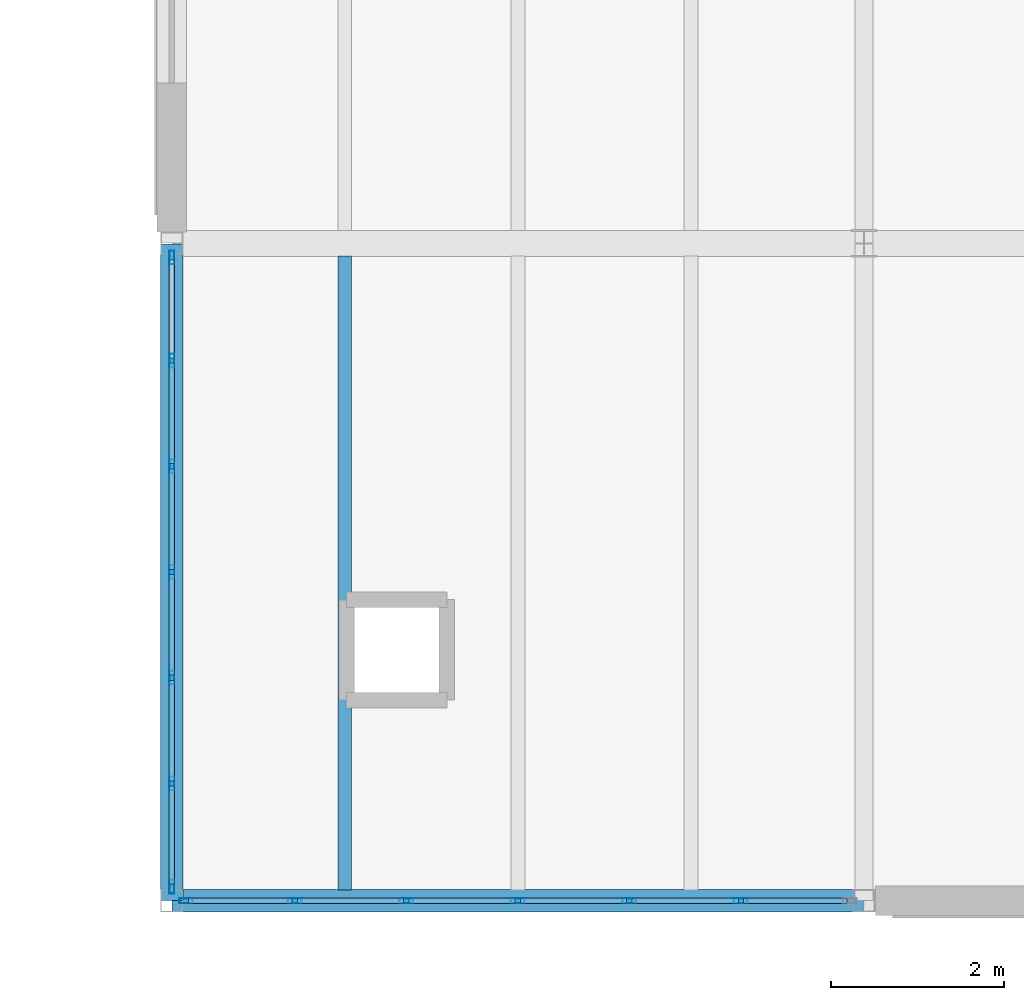
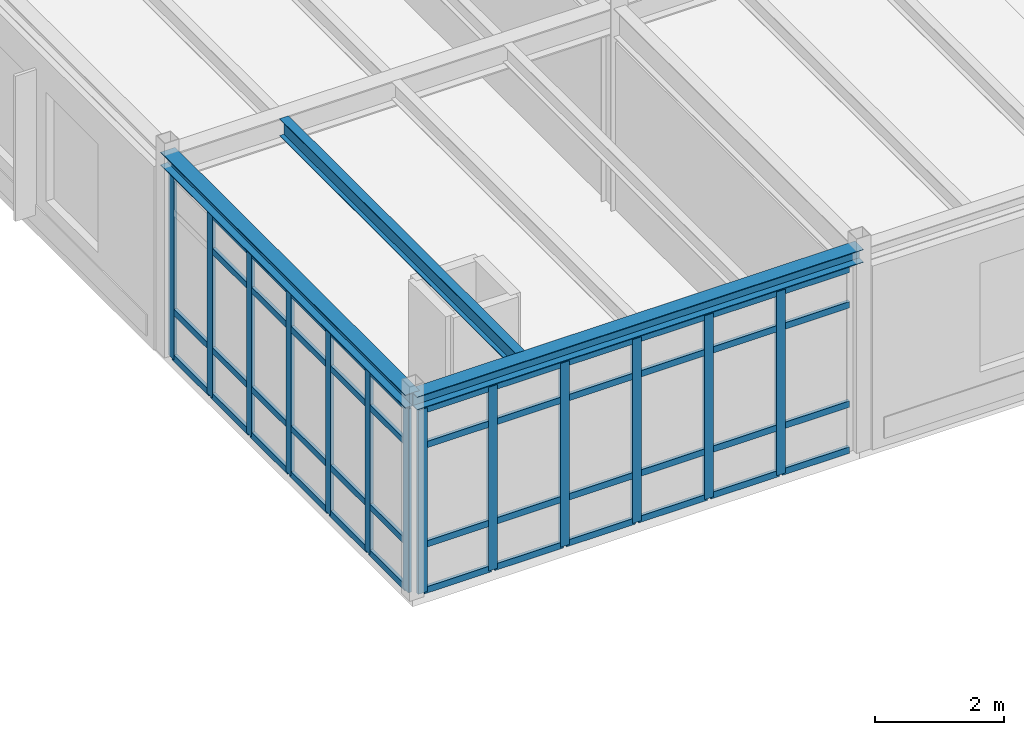
# One storey, part 109 of 189: 59 members, 3 beams, 2 elements without a shape of their own.
"""IFC4 building model written with IfcOpenShell, lengths in metres."""

from ifc_helpers import new_model, si_unit, direction, frame, origin, origin_2d, place, context, subcontext, project, spatial, hollow_rectangle, i_section, extrude, material, layer, layer_set, material_profile, profile_set, type_object, element, aggregate, save


model = new_model("IFC4")

# Units and contexts
model_context = context("Model", 3, precision=1e-05, world=origin(), true_north=direction((0.0, 1.0)))
body_context = subcontext(model_context, "Body", "Model", "MODEL_VIEW")
ifc_project = project(units=[si_unit("LENGTHUNIT", "METRE"), si_unit("AREAUNIT", "SQUARE_METRE"), si_unit("VOLUMEUNIT", "CUBIC_METRE"), si_unit("PLANEANGLEUNIT", "RADIAN"), si_unit("MASSUNIT", "GRAM", prefix="KILO")], contexts=[model_context])

# Site, building, storey
site_placement = place(None, origin())
site = spatial("IfcSite", under=ifc_project, at=site_placement, CompositionType="ELEMENT")
building_placement = place(site_placement, origin())
building = spatial("IfcBuilding", under=site, at=building_placement, Name="Montecoro Central Library", CompositionType="ELEMENT")
storey_placement = place(building_placement, frame((0.0, 0.0, 9.179931640625)))
storey = spatial("IfcBuildingStorey", under=building, at=storey_placement, Name="L02", CompositionType="ELEMENT", Elevation=9.179931640625)

# Beams
ifc_material_1 = material(Name="Steel S355", Category="steel")
ifc_material_profile_1 = material_profile(ifc_material_1, i_section(OverallWidth=0.159912109375, OverallDepth=0.330078125, WebThickness=0.007568359375, FlangeThickness=0.011474609375, at=origin_2d()), Name="IPE 330")
ifc_profile_set_1 = profile_set([ifc_material_profile_1], Name="Steel S355")
beam_type_1 = type_object("IfcBeamType", Name="BM-J-IPE330", PredefinedType="JOIST", material=ifc_profile_set_1)
beam_1_placement = place(storey_placement, frame((143.0, 5.126953125, 3.66015625), z_axis=(0.0, 1.0, 0.0), x_axis=(-1.0, 0.0, 0.0)))
element("IfcBeam", 1, at=beam_1_placement, inside=storey, type_object=beam_type_1, Name="V6-L02-JS-1819-AB-1", PredefinedType="JOIST", context=body_context, shape_type="SweptSolid", body=[
    extrude(i_section(OverallWidth=0.159912109375, OverallDepth=0.330078125, WebThickness=0.007568359375, FlangeThickness=0.011474609375, at=origin_2d()), origin(), (0.0, 0.0, 1.0), 7.325927734375),
])
ifc_material_profile_2 = material_profile(ifc_material_1, i_section(OverallWidth=0.260009765625, OverallDepth=0.25, WebThickness=0.007568359375, FlangeThickness=0.012451171875, at=origin_2d()), Name="HEA 260")
ifc_profile_set_2 = profile_set([ifc_material_profile_2], Name="Steel S355")
beam_type_2 = type_object("IfcBeamType", Name="BM-SP-HEA260", PredefinedType="SPANDREL", material=ifc_profile_set_2)
beam_2_placement = place(storey_placement, frame((141.0048828125, 5.0, 3.699951171875), z_axis=(1.0, 0.0, 0.0), x_axis=(0.0, 1.0, 0.0)))
element("IfcBeam", 2, at=beam_2_placement, inside=storey, type_object=beam_type_2, Name="V6-L02-BX-1819-A", PredefinedType="SPANDREL", context=body_context, shape_type="SweptSolid", body=[
    extrude(i_section(OverallWidth=0.260009765625, OverallDepth=0.25, WebThickness=0.007568359375, FlangeThickness=0.012451171875, at=origin_2d()), origin(), (0.0, 0.0, 1.0), 7.990234375),
])
beam_3_placement = place(storey_placement, frame((141.0, 5.0048828125, 3.699951171875), z_axis=(0.0, 1.0, 0.0), x_axis=(-1.0, 0.0, 0.0)))
element("IfcBeam", 3, at=beam_3_placement, inside=storey, type_object=beam_type_2, Name="V6-L02-BY-18-AB", PredefinedType="SPANDREL", context=body_context, shape_type="SweptSolid", body=[
    extrude(i_section(OverallWidth=0.260009765625, OverallDepth=0.25, WebThickness=0.007568359375, FlangeThickness=0.012451171875, at=origin_2d()), origin(), (0.0, 0.0, 1.0), 7.590087890625),
])

# Curtain wall, members
ifc_material_2 = material(Name="Bronze-anodised aluminium and low-E glazing", Category="aluminium")
ifc_layer_1 = layer(ifc_material_2, 0.159912109375)
ifc_layer_set_1 = layer_set([ifc_layer_1], Name="Bronze-anodised aluminium and low-E glazing")
curtain_wall_type_1 = type_object("IfcCurtainWallType", Name="CWT-064", PredefinedType="NOTDEFINED", material=ifc_layer_set_1)
curtain_wall_1_placement = place(storey_placement, origin())
curtain_wall_1 = element("IfcCurtainWall", 4, at=curtain_wall_1_placement, inside=storey, type_object=curtain_wall_type_1, Name="V6-L02-CW-S0", PredefinedType="NOTDEFINED")
ifc_material_3 = material(Name="Bronze-anodised aluminium", Category="aluminium")
ifc_material_profile_3 = material_profile(ifc_material_3, hollow_rectangle(XDim=0.06005859375, YDim=0.159912109375, WallThickness=0.00390625, at=origin_2d()), Name="CWM 160x60x4.0")
ifc_profile_set_3 = profile_set([ifc_material_profile_3], Name="Bronze-anodised aluminium")
member_type_1 = type_object("IfcMemberType", Name="CWM-BRZ-60", PredefinedType="MULLION", material=ifc_profile_set_3)
member_1_placement = place(storey_placement, frame((141.1630859375, 5.0, 0.0), z_axis=(0.0, 0.0, 1.0), x_axis=(0.0, 1.0, 0.0)))
member_1 = element("IfcMember", 5, at=member_1_placement, type_object=member_type_1, Name="CW-064 mullion 1", PredefinedType="MULLION", context=body_context, shape_type="SweptSolid", body=[
    extrude(hollow_rectangle(XDim=0.06005859375, YDim=0.159912109375, WallThickness=0.00390625, at=origin_2d()), origin(), (0.0, 0.0, 1.0), 3.47998046875),
])
member_2_placement = place(storey_placement, frame((142.422119140625, 5.0, 0.0), z_axis=(0.0, 0.0, 1.0), x_axis=(0.0, 1.0, 0.0)))
member_2 = element("IfcMember", 6, at=member_2_placement, type_object=member_type_1, Name="CW-064 mullion 2", PredefinedType="MULLION", context=body_context, shape_type="SweptSolid", body=[
    extrude(hollow_rectangle(XDim=0.06005859375, YDim=0.159912109375, WallThickness=0.00390625, at=origin_2d()), origin(), (0.0, 0.0, 1.0), 3.47998046875),
])
member_3_placement = place(storey_placement, frame((143.7109375, 5.0, 0.0), z_axis=(0.0, 0.0, 1.0), x_axis=(0.0, 1.0, 0.0)))
member_3 = element("IfcMember", 7, at=member_3_placement, type_object=member_type_1, Name="CW-064 mullion 3", PredefinedType="MULLION", context=body_context, shape_type="SweptSolid", body=[
    extrude(hollow_rectangle(XDim=0.06005859375, YDim=0.159912109375, WallThickness=0.00390625, at=origin_2d()), origin(), (0.0, 0.0, 1.0), 3.47998046875),
])
member_4_placement = place(storey_placement, frame((145.0, 5.0, 0.0), z_axis=(0.0, 0.0, 1.0), x_axis=(0.0, 1.0, 0.0)))
member_4 = element("IfcMember", 8, at=member_4_placement, type_object=member_type_1, Name="CW-064 mullion 4", PredefinedType="MULLION", context=body_context, shape_type="SweptSolid", body=[
    extrude(hollow_rectangle(XDim=0.06005859375, YDim=0.159912109375, WallThickness=0.00390625, at=origin_2d()), origin(), (0.0, 0.0, 1.0), 3.47998046875),
])
member_5_placement = place(storey_placement, frame((146.2890625, 5.0, 0.0), z_axis=(0.0, 0.0, 1.0), x_axis=(0.0, 1.0, 0.0)))
member_5 = element("IfcMember", 9, at=member_5_placement, type_object=member_type_1, Name="CW-064 mullion 5", PredefinedType="MULLION", context=body_context, shape_type="SweptSolid", body=[
    extrude(hollow_rectangle(XDim=0.06005859375, YDim=0.159912109375, WallThickness=0.00390625, at=origin_2d()), origin(), (0.0, 0.0, 1.0), 3.47998046875),
])
member_6_placement = place(storey_placement, frame((147.577880859375, 5.0, 0.0), z_axis=(0.0, 0.0, 1.0), x_axis=(0.0, 1.0, 0.0)))
member_6 = element("IfcMember", 10, at=member_6_placement, type_object=member_type_1, Name="CW-064 mullion 6", PredefinedType="MULLION", context=body_context, shape_type="SweptSolid", body=[
    extrude(hollow_rectangle(XDim=0.06005859375, YDim=0.159912109375, WallThickness=0.00390625, at=origin_2d()), origin(), (0.0, 0.0, 1.0), 3.47998046875),
])

ifc_layer_2 = layer(ifc_material_2, 0.159912109375)
ifc_layer_set_2 = layer_set([ifc_layer_2], Name="Bronze-anodised aluminium and low-E glazing")
curtain_wall_type_2 = type_object("IfcCurtainWallType", Name="CWT-067", PredefinedType="NOTDEFINED", material=ifc_layer_set_2)
curtain_wall_2_placement = place(storey_placement, origin())
curtain_wall_2 = element("IfcCurtainWall", 11, at=curtain_wall_2_placement, inside=storey, type_object=curtain_wall_type_2, Name="V6-L02-CW-W0", PredefinedType="NOTDEFINED")
member_7_placement = place(storey_placement, frame((141.0, 12.43701171875, 0.0), z_axis=(0.0, 0.0, 1.0), x_axis=(1.0, 0.0, 0.0)))
member_7 = element("IfcMember", 12, at=member_7_placement, type_object=member_type_1, Name="CW-067 mullion 1", PredefinedType="MULLION", context=body_context, shape_type="SweptSolid", body=[
    extrude(hollow_rectangle(XDim=0.06005859375, YDim=0.159912109375, WallThickness=0.00390625, at=origin_2d()), origin(), (0.0, 0.0, 1.0), 3.47998046875),
])
member_8_placement = place(storey_placement, frame((141.0, 11.24462890625, 0.0), z_axis=(0.0, 0.0, 1.0), x_axis=(1.0, 0.0, 0.0)))
member_8 = element("IfcMember", 13, at=member_8_placement, type_object=member_type_1, Name="CW-067 mullion 2", PredefinedType="MULLION", context=body_context, shape_type="SweptSolid", body=[
    extrude(hollow_rectangle(XDim=0.06005859375, YDim=0.159912109375, WallThickness=0.00390625, at=origin_2d()), origin(), (0.0, 0.0, 1.0), 3.47998046875),
])
member_9_placement = place(storey_placement, frame((141.0, 10.022216796875, 0.0), z_axis=(0.0, 0.0, 1.0), x_axis=(1.0, 0.0, 0.0)))
member_9 = element("IfcMember", 14, at=member_9_placement, type_object=member_type_1, Name="CW-067 mullion 3", PredefinedType="MULLION", context=body_context, shape_type="SweptSolid", body=[
    extrude(hollow_rectangle(XDim=0.06005859375, YDim=0.159912109375, WallThickness=0.00390625, at=origin_2d()), origin(), (0.0, 0.0, 1.0), 3.47998046875),
])
member_10_placement = place(storey_placement, frame((141.0, 8.800048828125, 0.0), z_axis=(0.0, 0.0, 1.0), x_axis=(1.0, 0.0, 0.0)))
member_10 = element("IfcMember", 15, at=member_10_placement, type_object=member_type_1, Name="CW-067 mullion 4", PredefinedType="MULLION", context=body_context, shape_type="SweptSolid", body=[
    extrude(hollow_rectangle(XDim=0.06005859375, YDim=0.159912109375, WallThickness=0.00390625, at=origin_2d()), origin(), (0.0, 0.0, 1.0), 3.47998046875),
])
member_11_placement = place(storey_placement, frame((141.0, 7.57763671875, 0.0), z_axis=(0.0, 0.0, 1.0), x_axis=(1.0, 0.0, 0.0)))
member_11 = element("IfcMember", 16, at=member_11_placement, type_object=member_type_1, Name="CW-067 mullion 5", PredefinedType="MULLION", context=body_context, shape_type="SweptSolid", body=[
    extrude(hollow_rectangle(XDim=0.06005859375, YDim=0.159912109375, WallThickness=0.00390625, at=origin_2d()), origin(), (0.0, 0.0, 1.0), 3.47998046875),
])
member_12_placement = place(storey_placement, frame((141.0, 6.355224609375, 0.0), z_axis=(0.0, 0.0, 1.0), x_axis=(1.0, 0.0, 0.0)))
member_12 = element("IfcMember", 17, at=member_12_placement, type_object=member_type_1, Name="CW-067 mullion 6", PredefinedType="MULLION", context=body_context, shape_type="SweptSolid", body=[
    extrude(hollow_rectangle(XDim=0.06005859375, YDim=0.159912109375, WallThickness=0.00390625, at=origin_2d()), origin(), (0.0, 0.0, 1.0), 3.47998046875),
])
member_13_placement = place(storey_placement, frame((141.0, 5.1630859375, 0.0), z_axis=(0.0, 0.0, 1.0), x_axis=(1.0, 0.0, 0.0)))
member_13 = element("IfcMember", 18, at=member_13_placement, type_object=member_type_1, Name="CW-067 mullion 7", PredefinedType="MULLION", context=body_context, shape_type="SweptSolid", body=[
    extrude(hollow_rectangle(XDim=0.06005859375, YDim=0.159912109375, WallThickness=0.00390625, at=origin_2d()), origin(), (0.0, 0.0, 1.0), 3.47998046875),
])

# Member
ifc_material_profile_4 = material_profile(ifc_material_3, hollow_rectangle(XDim=0.06005859375, YDim=0.1201171875, WallThickness=0.00390625, at=origin_2d()), Name="CWT 120x60x4.0")
ifc_profile_set_4 = profile_set([ifc_material_profile_4], Name="Bronze-anodised aluminium")
member_type_2 = type_object("IfcMemberType", Name="CWT-BRZ-60", PredefinedType="USERDEFINED", material=ifc_profile_set_4)
member_14_placement = place(storey_placement, frame((141.193115234375, 5.0, 0.030029296875), z_axis=(1.0, 0.0, 0.0), x_axis=(0.0, 1.0, 0.0)))
member_14 = element("IfcMember", 19, at=member_14_placement, type_object=member_type_2, Name="CW-064 transom 1.1", ObjectType="TRANSOM", PredefinedType="USERDEFINED", context=body_context, shape_type="SweptSolid", body=[
    extrude(hollow_rectangle(XDim=0.06005859375, YDim=0.1201171875, WallThickness=0.00390625, at=origin_2d()), origin(), (0.0, 0.0, 1.0), 1.198974609375),
])

member_15_placement = place(storey_placement, frame((141.193115234375, 5.0, 0.900146484375), z_axis=(1.0, 0.0, 0.0), x_axis=(0.0, 1.0, 0.0)))
member_15 = element("IfcMember", 20, at=member_15_placement, type_object=member_type_2, Name="CW-064 transom 1.2", ObjectType="TRANSOM", PredefinedType="USERDEFINED", context=body_context, shape_type="SweptSolid", body=[
    extrude(hollow_rectangle(XDim=0.06005859375, YDim=0.1201171875, WallThickness=0.00390625, at=origin_2d()), origin(), (0.0, 0.0, 1.0), 1.198974609375),
])

member_16_placement = place(storey_placement, frame((141.193115234375, 5.0, 2.780029296875), z_axis=(1.0, 0.0, 0.0), x_axis=(0.0, 1.0, 0.0)))
member_16 = element("IfcMember", 21, at=member_16_placement, type_object=member_type_2, Name="CW-064 transom 1.3", ObjectType="TRANSOM", PredefinedType="USERDEFINED", context=body_context, shape_type="SweptSolid", body=[
    extrude(hollow_rectangle(XDim=0.06005859375, YDim=0.1201171875, WallThickness=0.00390625, at=origin_2d()), origin(), (0.0, 0.0, 1.0), 1.198974609375),
])

member_17_placement = place(storey_placement, frame((141.193115234375, 5.0, 3.449951171875), z_axis=(1.0, 0.0, 0.0), x_axis=(0.0, 1.0, 0.0)))
member_17 = element("IfcMember", 22, at=member_17_placement, type_object=member_type_2, Name="CW-064 transom 1.4", ObjectType="TRANSOM", PredefinedType="USERDEFINED", context=body_context, shape_type="SweptSolid", body=[
    extrude(hollow_rectangle(XDim=0.06005859375, YDim=0.1201171875, WallThickness=0.00390625, at=origin_2d()), origin(), (0.0, 0.0, 1.0), 1.198974609375),
])

member_18_placement = place(storey_placement, frame((142.451904296875, 5.0, 0.030029296875), z_axis=(1.0, 0.0, 0.0), x_axis=(0.0, 1.0, 0.0)))
member_18 = element("IfcMember", 23, at=member_18_placement, type_object=member_type_2, Name="CW-064 transom 2.1", ObjectType="TRANSOM", PredefinedType="USERDEFINED", context=body_context, shape_type="SweptSolid", body=[
    extrude(hollow_rectangle(XDim=0.06005859375, YDim=0.1201171875, WallThickness=0.00390625, at=origin_2d()), origin(), (0.0, 0.0, 1.0), 1.22900390625),
])

member_19_placement = place(storey_placement, frame((142.451904296875, 5.0, 0.900146484375), z_axis=(1.0, 0.0, 0.0), x_axis=(0.0, 1.0, 0.0)))
member_19 = element("IfcMember", 24, at=member_19_placement, type_object=member_type_2, Name="CW-064 transom 2.2", ObjectType="TRANSOM", PredefinedType="USERDEFINED", context=body_context, shape_type="SweptSolid", body=[
    extrude(hollow_rectangle(XDim=0.06005859375, YDim=0.1201171875, WallThickness=0.00390625, at=origin_2d()), origin(), (0.0, 0.0, 1.0), 1.22900390625),
])

member_20_placement = place(storey_placement, frame((142.451904296875, 5.0, 2.780029296875), z_axis=(1.0, 0.0, 0.0), x_axis=(0.0, 1.0, 0.0)))
member_20 = element("IfcMember", 25, at=member_20_placement, type_object=member_type_2, Name="CW-064 transom 2.3", ObjectType="TRANSOM", PredefinedType="USERDEFINED", context=body_context, shape_type="SweptSolid", body=[
    extrude(hollow_rectangle(XDim=0.06005859375, YDim=0.1201171875, WallThickness=0.00390625, at=origin_2d()), origin(), (0.0, 0.0, 1.0), 1.22900390625),
])

member_21_placement = place(storey_placement, frame((142.451904296875, 5.0, 3.449951171875), z_axis=(1.0, 0.0, 0.0), x_axis=(0.0, 1.0, 0.0)))
member_21 = element("IfcMember", 26, at=member_21_placement, type_object=member_type_2, Name="CW-064 transom 2.4", ObjectType="TRANSOM", PredefinedType="USERDEFINED", context=body_context, shape_type="SweptSolid", body=[
    extrude(hollow_rectangle(XDim=0.06005859375, YDim=0.1201171875, WallThickness=0.00390625, at=origin_2d()), origin(), (0.0, 0.0, 1.0), 1.22900390625),
])

member_22_placement = place(storey_placement, frame((143.740966796875, 5.0, 0.030029296875), z_axis=(1.0, 0.0, 0.0), x_axis=(0.0, 1.0, 0.0)))
member_22 = element("IfcMember", 27, at=member_22_placement, type_object=member_type_2, Name="CW-064 transom 3.1", ObjectType="TRANSOM", PredefinedType="USERDEFINED", context=body_context, shape_type="SweptSolid", body=[
    extrude(hollow_rectangle(XDim=0.06005859375, YDim=0.1201171875, WallThickness=0.00390625, at=origin_2d()), origin(), (0.0, 0.0, 1.0), 1.22900390625),
])

member_23_placement = place(storey_placement, frame((143.740966796875, 5.0, 0.900146484375), z_axis=(1.0, 0.0, 0.0), x_axis=(0.0, 1.0, 0.0)))
member_23 = element("IfcMember", 28, at=member_23_placement, type_object=member_type_2, Name="CW-064 transom 3.2", ObjectType="TRANSOM", PredefinedType="USERDEFINED", context=body_context, shape_type="SweptSolid", body=[
    extrude(hollow_rectangle(XDim=0.06005859375, YDim=0.1201171875, WallThickness=0.00390625, at=origin_2d()), origin(), (0.0, 0.0, 1.0), 1.22900390625),
])

member_24_placement = place(storey_placement, frame((143.740966796875, 5.0, 2.780029296875), z_axis=(1.0, 0.0, 0.0), x_axis=(0.0, 1.0, 0.0)))
member_24 = element("IfcMember", 29, at=member_24_placement, type_object=member_type_2, Name="CW-064 transom 3.3", ObjectType="TRANSOM", PredefinedType="USERDEFINED", context=body_context, shape_type="SweptSolid", body=[
    extrude(hollow_rectangle(XDim=0.06005859375, YDim=0.1201171875, WallThickness=0.00390625, at=origin_2d()), origin(), (0.0, 0.0, 1.0), 1.22900390625),
])

member_25_placement = place(storey_placement, frame((143.740966796875, 5.0, 3.449951171875), z_axis=(1.0, 0.0, 0.0), x_axis=(0.0, 1.0, 0.0)))
member_25 = element("IfcMember", 30, at=member_25_placement, type_object=member_type_2, Name="CW-064 transom 3.4", ObjectType="TRANSOM", PredefinedType="USERDEFINED", context=body_context, shape_type="SweptSolid", body=[
    extrude(hollow_rectangle(XDim=0.06005859375, YDim=0.1201171875, WallThickness=0.00390625, at=origin_2d()), origin(), (0.0, 0.0, 1.0), 1.22900390625),
])

member_26_placement = place(storey_placement, frame((145.030029296875, 5.0, 0.030029296875), z_axis=(1.0, 0.0, 0.0), x_axis=(0.0, 1.0, 0.0)))
member_26 = element("IfcMember", 31, at=member_26_placement, type_object=member_type_2, Name="CW-064 transom 4.1", ObjectType="TRANSOM", PredefinedType="USERDEFINED", context=body_context, shape_type="SweptSolid", body=[
    extrude(hollow_rectangle(XDim=0.06005859375, YDim=0.1201171875, WallThickness=0.00390625, at=origin_2d()), origin(), (0.0, 0.0, 1.0), 1.22900390625),
])

member_27_placement = place(storey_placement, frame((145.030029296875, 5.0, 0.900146484375), z_axis=(1.0, 0.0, 0.0), x_axis=(0.0, 1.0, 0.0)))
member_27 = element("IfcMember", 32, at=member_27_placement, type_object=member_type_2, Name="CW-064 transom 4.2", ObjectType="TRANSOM", PredefinedType="USERDEFINED", context=body_context, shape_type="SweptSolid", body=[
    extrude(hollow_rectangle(XDim=0.06005859375, YDim=0.1201171875, WallThickness=0.00390625, at=origin_2d()), origin(), (0.0, 0.0, 1.0), 1.22900390625),
])

member_28_placement = place(storey_placement, frame((145.030029296875, 5.0, 2.780029296875), z_axis=(1.0, 0.0, 0.0), x_axis=(0.0, 1.0, 0.0)))
member_28 = element("IfcMember", 33, at=member_28_placement, type_object=member_type_2, Name="CW-064 transom 4.3", ObjectType="TRANSOM", PredefinedType="USERDEFINED", context=body_context, shape_type="SweptSolid", body=[
    extrude(hollow_rectangle(XDim=0.06005859375, YDim=0.1201171875, WallThickness=0.00390625, at=origin_2d()), origin(), (0.0, 0.0, 1.0), 1.22900390625),
])

member_29_placement = place(storey_placement, frame((145.030029296875, 5.0, 3.449951171875), z_axis=(1.0, 0.0, 0.0), x_axis=(0.0, 1.0, 0.0)))
member_29 = element("IfcMember", 34, at=member_29_placement, type_object=member_type_2, Name="CW-064 transom 4.4", ObjectType="TRANSOM", PredefinedType="USERDEFINED", context=body_context, shape_type="SweptSolid", body=[
    extrude(hollow_rectangle(XDim=0.06005859375, YDim=0.1201171875, WallThickness=0.00390625, at=origin_2d()), origin(), (0.0, 0.0, 1.0), 1.22900390625),
])

member_30_placement = place(storey_placement, frame((146.319091796875, 5.0, 0.030029296875), z_axis=(1.0, 0.0, 0.0), x_axis=(0.0, 1.0, 0.0)))
member_30 = element("IfcMember", 35, at=member_30_placement, type_object=member_type_2, Name="CW-064 transom 5.1", ObjectType="TRANSOM", PredefinedType="USERDEFINED", context=body_context, shape_type="SweptSolid", body=[
    extrude(hollow_rectangle(XDim=0.06005859375, YDim=0.1201171875, WallThickness=0.00390625, at=origin_2d()), origin(), (0.0, 0.0, 1.0), 1.22900390625),
])

member_31_placement = place(storey_placement, frame((146.319091796875, 5.0, 0.900146484375), z_axis=(1.0, 0.0, 0.0), x_axis=(0.0, 1.0, 0.0)))
member_31 = element("IfcMember", 36, at=member_31_placement, type_object=member_type_2, Name="CW-064 transom 5.2", ObjectType="TRANSOM", PredefinedType="USERDEFINED", context=body_context, shape_type="SweptSolid", body=[
    extrude(hollow_rectangle(XDim=0.06005859375, YDim=0.1201171875, WallThickness=0.00390625, at=origin_2d()), origin(), (0.0, 0.0, 1.0), 1.22900390625),
])

member_32_placement = place(storey_placement, frame((146.319091796875, 5.0, 2.780029296875), z_axis=(1.0, 0.0, 0.0), x_axis=(0.0, 1.0, 0.0)))
member_32 = element("IfcMember", 37, at=member_32_placement, type_object=member_type_2, Name="CW-064 transom 5.3", ObjectType="TRANSOM", PredefinedType="USERDEFINED", context=body_context, shape_type="SweptSolid", body=[
    extrude(hollow_rectangle(XDim=0.06005859375, YDim=0.1201171875, WallThickness=0.00390625, at=origin_2d()), origin(), (0.0, 0.0, 1.0), 1.22900390625),
])

member_33_placement = place(storey_placement, frame((146.319091796875, 5.0, 3.449951171875), z_axis=(1.0, 0.0, 0.0), x_axis=(0.0, 1.0, 0.0)))
member_33 = element("IfcMember", 38, at=member_33_placement, type_object=member_type_2, Name="CW-064 transom 5.4", ObjectType="TRANSOM", PredefinedType="USERDEFINED", context=body_context, shape_type="SweptSolid", body=[
    extrude(hollow_rectangle(XDim=0.06005859375, YDim=0.1201171875, WallThickness=0.00390625, at=origin_2d()), origin(), (0.0, 0.0, 1.0), 1.22900390625),
])

member_34_placement = place(storey_placement, frame((147.60791015625, 5.0, 0.030029296875), z_axis=(1.0, 0.0, 0.0), x_axis=(0.0, 1.0, 0.0)))
member_34 = element("IfcMember", 39, at=member_34_placement, type_object=member_type_2, Name="CW-064 transom 6.1", ObjectType="TRANSOM", PredefinedType="USERDEFINED", context=body_context, shape_type="SweptSolid", body=[
    extrude(hollow_rectangle(XDim=0.06005859375, YDim=0.1201171875, WallThickness=0.00390625, at=origin_2d()), origin(), (0.0, 0.0, 1.0), 1.198974609375),
])

member_35_placement = place(storey_placement, frame((147.60791015625, 5.0, 0.900146484375), z_axis=(1.0, 0.0, 0.0), x_axis=(0.0, 1.0, 0.0)))
member_35 = element("IfcMember", 40, at=member_35_placement, type_object=member_type_2, Name="CW-064 transom 6.2", ObjectType="TRANSOM", PredefinedType="USERDEFINED", context=body_context, shape_type="SweptSolid", body=[
    extrude(hollow_rectangle(XDim=0.06005859375, YDim=0.1201171875, WallThickness=0.00390625, at=origin_2d()), origin(), (0.0, 0.0, 1.0), 1.198974609375),
])

member_36_placement = place(storey_placement, frame((147.60791015625, 5.0, 2.780029296875), z_axis=(1.0, 0.0, 0.0), x_axis=(0.0, 1.0, 0.0)))
member_36 = element("IfcMember", 41, at=member_36_placement, type_object=member_type_2, Name="CW-064 transom 6.3", ObjectType="TRANSOM", PredefinedType="USERDEFINED", context=body_context, shape_type="SweptSolid", body=[
    extrude(hollow_rectangle(XDim=0.06005859375, YDim=0.1201171875, WallThickness=0.00390625, at=origin_2d()), origin(), (0.0, 0.0, 1.0), 1.198974609375),
])

member_37_placement = place(storey_placement, frame((147.60791015625, 5.0, 3.449951171875), z_axis=(1.0, 0.0, 0.0), x_axis=(0.0, 1.0, 0.0)))
member_37 = element("IfcMember", 42, at=member_37_placement, type_object=member_type_2, Name="CW-064 transom 6.4", ObjectType="TRANSOM", PredefinedType="USERDEFINED", context=body_context, shape_type="SweptSolid", body=[
    extrude(hollow_rectangle(XDim=0.06005859375, YDim=0.1201171875, WallThickness=0.00390625, at=origin_2d()), origin(), (0.0, 0.0, 1.0), 1.198974609375),
])

aggregate(curtain_wall_1, [member_1, member_2, member_3, member_4, member_5, member_6, member_14, member_15, member_16, member_17, member_18, member_19, member_20, member_21, member_22, member_23, member_24, member_25, member_26, member_27, member_28, member_29, member_30, member_31, member_32, member_33, member_34, member_35, member_36, member_37])

member_38_placement = place(storey_placement, frame((141.0, 12.406982421875, 0.030029296875), z_axis=(0.0, -1.0, 0.0), x_axis=(1.0, 0.0, 0.0)))
member_38 = element("IfcMember", 43, at=member_38_placement, type_object=member_type_2, Name="CW-067 transom 1.1", ObjectType="TRANSOM", PredefinedType="USERDEFINED", context=body_context, shape_type="SweptSolid", body=[
    extrude(hollow_rectangle(XDim=0.06005859375, YDim=0.1201171875, WallThickness=0.00390625, at=origin_2d()), origin(), (0.0, 0.0, 1.0), 1.13232421875),
])

member_39_placement = place(storey_placement, frame((141.0, 12.406982421875, 0.900146484375), z_axis=(0.0, -1.0, 0.0), x_axis=(1.0, 0.0, 0.0)))
member_39 = element("IfcMember", 44, at=member_39_placement, type_object=member_type_2, Name="CW-067 transom 1.2", ObjectType="TRANSOM", PredefinedType="USERDEFINED", context=body_context, shape_type="SweptSolid", body=[
    extrude(hollow_rectangle(XDim=0.06005859375, YDim=0.1201171875, WallThickness=0.00390625, at=origin_2d()), origin(), (0.0, 0.0, 1.0), 1.13232421875),
])

member_40_placement = place(storey_placement, frame((141.0, 11.214599609375, 0.030029296875), z_axis=(0.0, -1.0, 0.0), x_axis=(1.0, 0.0, 0.0)))
member_40 = element("IfcMember", 45, at=member_40_placement, type_object=member_type_2, Name="CW-067 transom 2.1", ObjectType="TRANSOM", PredefinedType="USERDEFINED", context=body_context, shape_type="SweptSolid", body=[
    extrude(hollow_rectangle(XDim=0.06005859375, YDim=0.1201171875, WallThickness=0.00390625, at=origin_2d()), origin(), (0.0, 0.0, 1.0), 1.162353515625),
])

member_41_placement = place(storey_placement, frame((141.0, 11.214599609375, 0.900146484375), z_axis=(0.0, -1.0, 0.0), x_axis=(1.0, 0.0, 0.0)))
member_41 = element("IfcMember", 46, at=member_41_placement, type_object=member_type_2, Name="CW-067 transom 2.2", ObjectType="TRANSOM", PredefinedType="USERDEFINED", context=body_context, shape_type="SweptSolid", body=[
    extrude(hollow_rectangle(XDim=0.06005859375, YDim=0.1201171875, WallThickness=0.00390625, at=origin_2d()), origin(), (0.0, 0.0, 1.0), 1.162353515625),
])

member_42_placement = place(storey_placement, frame((141.0, 11.214599609375, 2.780029296875), z_axis=(0.0, -1.0, 0.0), x_axis=(1.0, 0.0, 0.0)))
member_42 = element("IfcMember", 47, at=member_42_placement, type_object=member_type_2, Name="CW-067 transom 2.3", ObjectType="TRANSOM", PredefinedType="USERDEFINED", context=body_context, shape_type="SweptSolid", body=[
    extrude(hollow_rectangle(XDim=0.06005859375, YDim=0.1201171875, WallThickness=0.00390625, at=origin_2d()), origin(), (0.0, 0.0, 1.0), 1.162353515625),
])

member_43_placement = place(storey_placement, frame((141.0, 11.214599609375, 3.449951171875), z_axis=(0.0, -1.0, 0.0), x_axis=(1.0, 0.0, 0.0)))
member_43 = element("IfcMember", 48, at=member_43_placement, type_object=member_type_2, Name="CW-067 transom 2.4", ObjectType="TRANSOM", PredefinedType="USERDEFINED", context=body_context, shape_type="SweptSolid", body=[
    extrude(hollow_rectangle(XDim=0.06005859375, YDim=0.1201171875, WallThickness=0.00390625, at=origin_2d()), origin(), (0.0, 0.0, 1.0), 1.162353515625),
])

member_44_placement = place(storey_placement, frame((141.0, 9.992431640625, 0.030029296875), z_axis=(0.0, -1.0, 0.0), x_axis=(1.0, 0.0, 0.0)))
member_44 = element("IfcMember", 49, at=member_44_placement, type_object=member_type_2, Name="CW-067 transom 3.1", ObjectType="TRANSOM", PredefinedType="USERDEFINED", context=body_context, shape_type="SweptSolid", body=[
    extrude(hollow_rectangle(XDim=0.06005859375, YDim=0.1201171875, WallThickness=0.00390625, at=origin_2d()), origin(), (0.0, 0.0, 1.0), 1.162353515625),
])

member_45_placement = place(storey_placement, frame((141.0, 9.992431640625, 0.900146484375), z_axis=(0.0, -1.0, 0.0), x_axis=(1.0, 0.0, 0.0)))
member_45 = element("IfcMember", 50, at=member_45_placement, type_object=member_type_2, Name="CW-067 transom 3.2", ObjectType="TRANSOM", PredefinedType="USERDEFINED", context=body_context, shape_type="SweptSolid", body=[
    extrude(hollow_rectangle(XDim=0.06005859375, YDim=0.1201171875, WallThickness=0.00390625, at=origin_2d()), origin(), (0.0, 0.0, 1.0), 1.162353515625),
])

member_46_placement = place(storey_placement, frame((141.0, 9.992431640625, 2.780029296875), z_axis=(0.0, -1.0, 0.0), x_axis=(1.0, 0.0, 0.0)))
member_46 = element("IfcMember", 51, at=member_46_placement, type_object=member_type_2, Name="CW-067 transom 3.3", ObjectType="TRANSOM", PredefinedType="USERDEFINED", context=body_context, shape_type="SweptSolid", body=[
    extrude(hollow_rectangle(XDim=0.06005859375, YDim=0.1201171875, WallThickness=0.00390625, at=origin_2d()), origin(), (0.0, 0.0, 1.0), 1.162353515625),
])

member_47_placement = place(storey_placement, frame((141.0, 9.992431640625, 3.449951171875), z_axis=(0.0, -1.0, 0.0), x_axis=(1.0, 0.0, 0.0)))
member_47 = element("IfcMember", 52, at=member_47_placement, type_object=member_type_2, Name="CW-067 transom 3.4", ObjectType="TRANSOM", PredefinedType="USERDEFINED", context=body_context, shape_type="SweptSolid", body=[
    extrude(hollow_rectangle(XDim=0.06005859375, YDim=0.1201171875, WallThickness=0.00390625, at=origin_2d()), origin(), (0.0, 0.0, 1.0), 1.162353515625),
])

member_48_placement = place(storey_placement, frame((141.0, 8.77001953125, 0.030029296875), z_axis=(0.0, -1.0, 0.0), x_axis=(1.0, 0.0, 0.0)))
member_48 = element("IfcMember", 53, at=member_48_placement, type_object=member_type_2, Name="CW-067 transom 4.1", ObjectType="TRANSOM", PredefinedType="USERDEFINED", context=body_context, shape_type="SweptSolid", body=[
    extrude(hollow_rectangle(XDim=0.06005859375, YDim=0.1201171875, WallThickness=0.00390625, at=origin_2d()), origin(), (0.0, 0.0, 1.0), 1.162353515625),
])

member_49_placement = place(storey_placement, frame((141.0, 8.77001953125, 0.900146484375), z_axis=(0.0, -1.0, 0.0), x_axis=(1.0, 0.0, 0.0)))
member_49 = element("IfcMember", 54, at=member_49_placement, type_object=member_type_2, Name="CW-067 transom 4.2", ObjectType="TRANSOM", PredefinedType="USERDEFINED", context=body_context, shape_type="SweptSolid", body=[
    extrude(hollow_rectangle(XDim=0.06005859375, YDim=0.1201171875, WallThickness=0.00390625, at=origin_2d()), origin(), (0.0, 0.0, 1.0), 1.162353515625),
])

member_50_placement = place(storey_placement, frame((141.0, 8.77001953125, 2.780029296875), z_axis=(0.0, -1.0, 0.0), x_axis=(1.0, 0.0, 0.0)))
member_50 = element("IfcMember", 55, at=member_50_placement, type_object=member_type_2, Name="CW-067 transom 4.3", ObjectType="TRANSOM", PredefinedType="USERDEFINED", context=body_context, shape_type="SweptSolid", body=[
    extrude(hollow_rectangle(XDim=0.06005859375, YDim=0.1201171875, WallThickness=0.00390625, at=origin_2d()), origin(), (0.0, 0.0, 1.0), 1.162353515625),
])

member_51_placement = place(storey_placement, frame((141.0, 8.77001953125, 3.449951171875), z_axis=(0.0, -1.0, 0.0), x_axis=(1.0, 0.0, 0.0)))
member_51 = element("IfcMember", 56, at=member_51_placement, type_object=member_type_2, Name="CW-067 transom 4.4", ObjectType="TRANSOM", PredefinedType="USERDEFINED", context=body_context, shape_type="SweptSolid", body=[
    extrude(hollow_rectangle(XDim=0.06005859375, YDim=0.1201171875, WallThickness=0.00390625, at=origin_2d()), origin(), (0.0, 0.0, 1.0), 1.162353515625),
])

member_52_placement = place(storey_placement, frame((141.0, 7.547607421875, 0.030029296875), z_axis=(0.0, -1.0, 0.0), x_axis=(1.0, 0.0, 0.0)))
member_52 = element("IfcMember", 57, at=member_52_placement, type_object=member_type_2, Name="CW-067 transom 5.1", ObjectType="TRANSOM", PredefinedType="USERDEFINED", context=body_context, shape_type="SweptSolid", body=[
    extrude(hollow_rectangle(XDim=0.06005859375, YDim=0.1201171875, WallThickness=0.00390625, at=origin_2d()), origin(), (0.0, 0.0, 1.0), 1.162353515625),
])

member_53_placement = place(storey_placement, frame((141.0, 7.547607421875, 0.900146484375), z_axis=(0.0, -1.0, 0.0), x_axis=(1.0, 0.0, 0.0)))
member_53 = element("IfcMember", 58, at=member_53_placement, type_object=member_type_2, Name="CW-067 transom 5.2", ObjectType="TRANSOM", PredefinedType="USERDEFINED", context=body_context, shape_type="SweptSolid", body=[
    extrude(hollow_rectangle(XDim=0.06005859375, YDim=0.1201171875, WallThickness=0.00390625, at=origin_2d()), origin(), (0.0, 0.0, 1.0), 1.162353515625),
])

member_54_placement = place(storey_placement, frame((141.0, 7.547607421875, 2.780029296875), z_axis=(0.0, -1.0, 0.0), x_axis=(1.0, 0.0, 0.0)))
member_54 = element("IfcMember", 59, at=member_54_placement, type_object=member_type_2, Name="CW-067 transom 5.3", ObjectType="TRANSOM", PredefinedType="USERDEFINED", context=body_context, shape_type="SweptSolid", body=[
    extrude(hollow_rectangle(XDim=0.06005859375, YDim=0.1201171875, WallThickness=0.00390625, at=origin_2d()), origin(), (0.0, 0.0, 1.0), 1.162353515625),
])

member_55_placement = place(storey_placement, frame((141.0, 7.547607421875, 3.449951171875), z_axis=(0.0, -1.0, 0.0), x_axis=(1.0, 0.0, 0.0)))
member_55 = element("IfcMember", 60, at=member_55_placement, type_object=member_type_2, Name="CW-067 transom 5.4", ObjectType="TRANSOM", PredefinedType="USERDEFINED", context=body_context, shape_type="SweptSolid", body=[
    extrude(hollow_rectangle(XDim=0.06005859375, YDim=0.1201171875, WallThickness=0.00390625, at=origin_2d()), origin(), (0.0, 0.0, 1.0), 1.162353515625),
])

member_56_placement = place(storey_placement, frame((141.0, 6.325439453125, 0.030029296875), z_axis=(0.0, -1.0, 0.0), x_axis=(1.0, 0.0, 0.0)))
member_56 = element("IfcMember", 61, at=member_56_placement, type_object=member_type_2, Name="CW-067 transom 6.1", ObjectType="TRANSOM", PredefinedType="USERDEFINED", context=body_context, shape_type="SweptSolid", body=[
    extrude(hollow_rectangle(XDim=0.06005859375, YDim=0.1201171875, WallThickness=0.00390625, at=origin_2d()), origin(), (0.0, 0.0, 1.0), 1.13232421875),
])

member_57_placement = place(storey_placement, frame((141.0, 6.325439453125, 0.900146484375), z_axis=(0.0, -1.0, 0.0), x_axis=(1.0, 0.0, 0.0)))
member_57 = element("IfcMember", 62, at=member_57_placement, type_object=member_type_2, Name="CW-067 transom 6.2", ObjectType="TRANSOM", PredefinedType="USERDEFINED", context=body_context, shape_type="SweptSolid", body=[
    extrude(hollow_rectangle(XDim=0.06005859375, YDim=0.1201171875, WallThickness=0.00390625, at=origin_2d()), origin(), (0.0, 0.0, 1.0), 1.13232421875),
])

member_58_placement = place(storey_placement, frame((141.0, 6.325439453125, 2.780029296875), z_axis=(0.0, -1.0, 0.0), x_axis=(1.0, 0.0, 0.0)))
member_58 = element("IfcMember", 63, at=member_58_placement, type_object=member_type_2, Name="CW-067 transom 6.3", ObjectType="TRANSOM", PredefinedType="USERDEFINED", context=body_context, shape_type="SweptSolid", body=[
    extrude(hollow_rectangle(XDim=0.06005859375, YDim=0.1201171875, WallThickness=0.00390625, at=origin_2d()), origin(), (0.0, 0.0, 1.0), 1.13232421875),
])

member_59_placement = place(storey_placement, frame((141.0, 6.325439453125, 3.449951171875), z_axis=(0.0, -1.0, 0.0), x_axis=(1.0, 0.0, 0.0)))
member_59 = element("IfcMember", 64, at=member_59_placement, type_object=member_type_2, Name="CW-067 transom 6.4", ObjectType="TRANSOM", PredefinedType="USERDEFINED", context=body_context, shape_type="SweptSolid", body=[
    extrude(hollow_rectangle(XDim=0.06005859375, YDim=0.1201171875, WallThickness=0.00390625, at=origin_2d()), origin(), (0.0, 0.0, 1.0), 1.13232421875),
])

aggregate(curtain_wall_2, [member_7, member_8, member_9, member_10, member_11, member_12, member_13, member_38, member_39, member_40, member_41, member_42, member_43, member_44, member_45, member_46, member_47, member_48, member_49, member_50, member_51, member_52, member_53, member_54, member_55, member_56, member_57, member_58, member_59])

save(model, "model.ifc")
